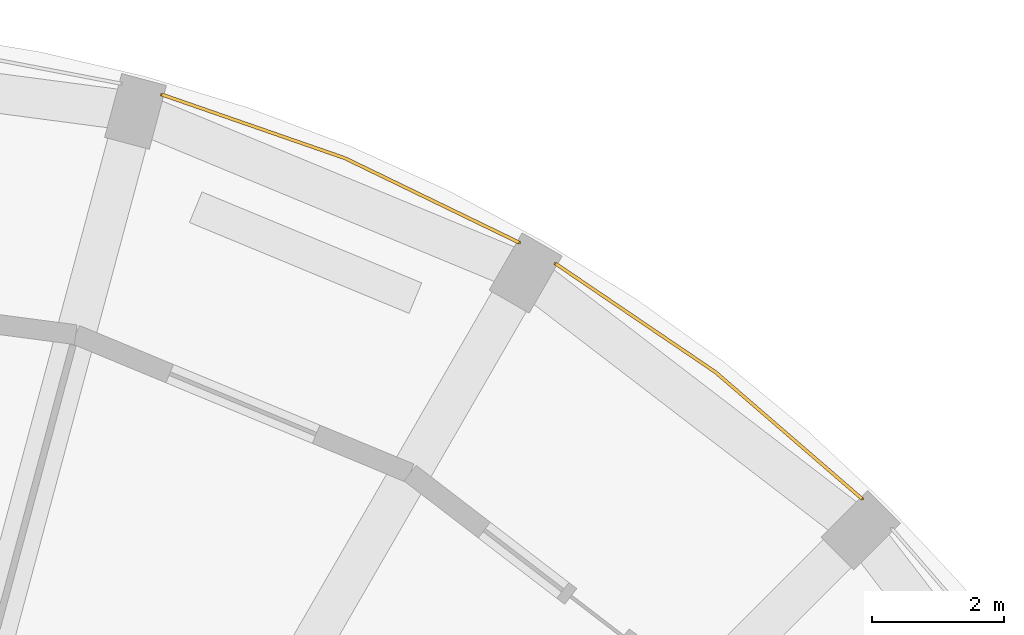
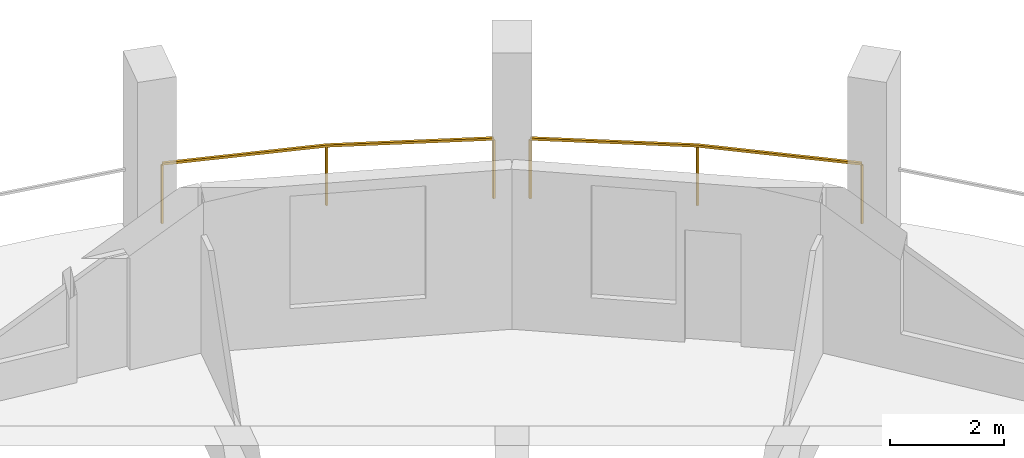
# One storey, part 9 of 9: 2 railings.
"""IFC4 building model written with IfcOpenShell, lengths in metres."""

from ifc_helpers import new_model, si_unit, direction, frame, origin, origin_2d, place, context, subcontext, project, spatial, rectangle, extrude, material, type_object, element, save


model = new_model("IFC4")

# Units and contexts
model_context = context("Model", 3, precision=1e-05, world=origin(), true_north=direction((0.0, 1.0)))
body_context = subcontext(model_context, "Body", "Model", "MODEL_VIEW")
ifc_project = project(units=[si_unit("LENGTHUNIT", "METRE"), si_unit("AREAUNIT", "SQUARE_METRE"), si_unit("VOLUMEUNIT", "CUBIC_METRE"), si_unit("PLANEANGLEUNIT", "RADIAN"), si_unit("MASSUNIT", "GRAM", prefix="KILO")], contexts=[model_context])

# Site, building, storey
site_placement = place(None, origin())
site = spatial("IfcSite", under=ifc_project, at=site_placement, CompositionType="ELEMENT")
building_placement = place(site_placement, origin())
building = spatial("IfcBuilding", under=site, at=building_placement, Name="Torre Triforio", CompositionType="ELEMENT")
storey_placement = place(building_placement, frame((0.0, 0.0, 272.300048828125)))
storey = spatial("IfcBuildingStorey", under=building, at=storey_placement, Name="L63", CompositionType="ELEMENT", Elevation=272.300048828125)

# Railings
ifc_material = material(Name="Stainless steel AISI 316", Category="steel")
railing_type = type_object("IfcRailingType", Name="Loggia guard 1300", PredefinedType="GUARDRAIL", material=ifc_material)
railing_1_placement = place(storey_placement, frame((17.34521484375, 17.7978515625, 0.0)))
element("IfcRailing", 1, at=railing_1_placement, inside=storey, type_object=railing_type, Name="Loggia guard L63 bay 04", PredefinedType="GUARDRAIL", context=body_context, shape_type="SweptSolid", body=[
    extrude(rectangle(XDim=0.050048828125, YDim=0.050048828125, at=origin_2d()), frame((0.0, 0.0, 1.27490234375), z_axis=(-0.756510170049, 0.653981928353, 0.0), x_axis=(-0.653981928353, -0.756510170049, 0.0)), (0.0, 0.0, 1.0), 2.93115234375),
    extrude(rectangle(XDim=0.050048828125, YDim=0.050048828125, at=origin_2d()), frame((-2.217529296875, 1.9169921875, 1.27490234375), z_axis=(-0.827499269821, 0.561466791934, 0.0), x_axis=(-0.561466791934, -0.827499269821, 0.0)), (0.0, 0.0, 1.0), 2.93115234375),
    extrude(rectangle(XDim=0.0400390625, YDim=0.0400390625, at=origin_2d()), origin(), (0.0, 0.0, 1.0), 1.25),
    extrude(rectangle(XDim=0.0400390625, YDim=0.0400390625, at=origin_2d()), frame((-2.217529296875, 1.9169921875, 0.0)), (0.0, 0.0, 1.0), 1.25),
    extrude(rectangle(XDim=0.0400390625, YDim=0.0400390625, at=origin_2d()), frame((-4.64306640625, 3.562744140625, 0.0)), (0.0, 0.0, 1.0), 1.25),
])
railing_2_placement = place(storey_placement, frame((12.14794921875, 21.6806640625, 0.0)))
element("IfcRailing", 2, at=railing_2_placement, inside=storey, type_object=railing_type, Name="Loggia guard L63 bay 05", PredefinedType="GUARDRAIL", context=body_context, shape_type="SweptSolid", body=[
    extrude(rectangle(XDim=0.050048828125, YDim=0.050048828125, at=origin_2d()), frame((0.0, 0.0, 1.27490234375), z_axis=(-0.899986429279, 0.435917913275, 0.0), x_axis=(-0.435917913275, -0.899986429279, 0.0)), (0.0, 0.0, 1.0), 2.931396484375),
    extrude(rectangle(XDim=0.050048828125, YDim=0.050048828125, at=origin_2d()), frame((-2.63818359375, 1.27783203125, 1.27490234375), z_axis=(-0.944627058264, 0.328145883403, 0.0), x_axis=(-0.328145883403, -0.944627058264, 0.0)), (0.0, 0.0, 1.0), 2.931396484375),
    extrude(rectangle(XDim=0.0400390625, YDim=0.0400390625, at=origin_2d()), origin(), (0.0, 0.0, 1.0), 1.25),
    extrude(rectangle(XDim=0.0400390625, YDim=0.0400390625, at=origin_2d()), frame((-2.63818359375, 1.27783203125, 0.0)), (0.0, 0.0, 1.0), 1.25),
    extrude(rectangle(XDim=0.0400390625, YDim=0.0400390625, at=origin_2d()), frame((-5.4072265625, 2.23974609375, 0.0)), (0.0, 0.0, 1.0), 1.25),
])

save(model, "model.ifc")
